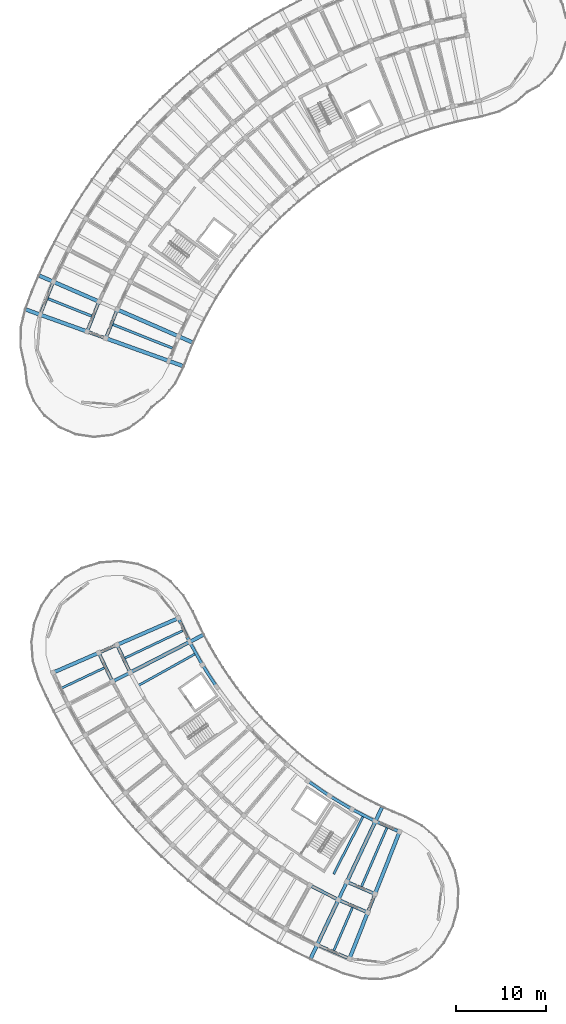
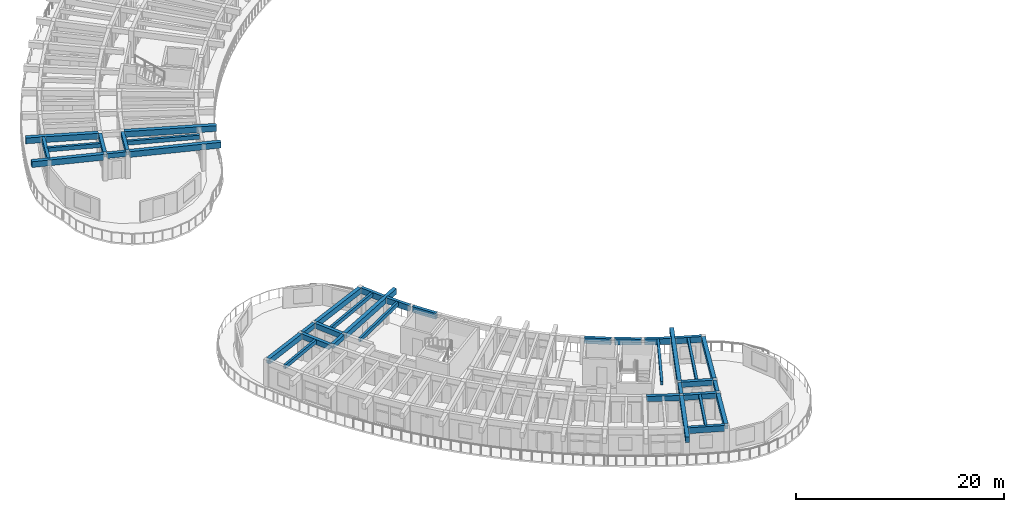
# One storey, part 10 of 62: 40 beams.
"""IFC4 building model written with IfcOpenShell, lengths in metres."""

from ifc_helpers import new_model, si_unit, direction, frame, origin, origin_2d, place, context, subcontext, project, spatial, rectangle, extrude, material, material_profile, profile_set, type_object, element, save


model = new_model("IFC4")

# Units and contexts
model_context = context("Model", 3, precision=1e-05, world=origin(), true_north=direction((0.0, 1.0)))
body_context = subcontext(model_context, "Body", "Model", "MODEL_VIEW")
ifc_project = project(units=[si_unit("LENGTHUNIT", "METRE"), si_unit("AREAUNIT", "SQUARE_METRE"), si_unit("VOLUMEUNIT", "CUBIC_METRE"), si_unit("PLANEANGLEUNIT", "RADIAN"), si_unit("MASSUNIT", "GRAM", prefix="KILO")], contexts=[model_context])

# Site, building, storey
site_placement = place(None, origin())
site = spatial("IfcSite", under=ifc_project, at=site_placement, CompositionType="ELEMENT")
building_placement = place(site_placement, origin())
building = spatial("IfcBuilding", under=site, at=building_placement, Name="Tanwirah Colonnade Gardens", CompositionType="ELEMENT")
storey_placement = place(building_placement, frame((0.0, 0.0, 32.360107421875)))
storey = spatial("IfcBuildingStorey", under=building, at=storey_placement, Name="L09", CompositionType="ELEMENT", Elevation=32.360107421875)

# Beams
ifc_material_1 = material(Name="Precast concrete C40/50", Category="concrete")
ifc_material_profile_1 = material_profile(ifc_material_1, rectangle(XDim=0.360107421875, YDim=0.610107421875, at=origin_2d()), Name="PC-BM 360x610")
ifc_profile_set_1 = profile_set([ifc_material_profile_1], Name="Precast concrete C40/50")
beam_type_1 = type_object("IfcBeamType", Name="BM-PC300", PredefinedType="BEAM", material=ifc_profile_set_1)
beam_1_placement = place(storey_placement, frame((17.5146484375, 43.689453125, 2.809814453125), z_axis=(0.428520598641, -0.903532011907, 0.0), x_axis=(0.903532011907, 0.428520598641, 0.0)))
element("IfcBeam", 1, at=beam_1_placement, inside=storey, type_object=beam_type_1, Name="Block C L09 Circumferential Beam 2-R1", PredefinedType="BEAM", context=body_context, shape_type="SweptSolid", body=[
    extrude(rectangle(XDim=0.360107421875, YDim=0.610107421875, at=origin_2d()), origin(), (0.0, 0.0, 1.0), 3.093017578125),
])
beam_2_placement = place(storey_placement, frame((15.4970703125, 42.81201171875, 2.809814453125), z_axis=(0.428562893949, -0.903511951183, 0.0), x_axis=(0.903511951183, 0.428562893949, 0.0)))
element("IfcBeam", 2, at=beam_2_placement, inside=storey, type_object=beam_type_1, Name="Block C L09 Circumferential Beam 2-R2", PredefinedType="BEAM", context=body_context, shape_type="SweptSolid", body=[
    extrude(rectangle(XDim=0.360107421875, YDim=0.610107421875, at=origin_2d()), origin(), (0.0, 0.0, 1.0), 3.23681640625),
])
beam_3_placement = place(storey_placement, frame((38.929443359375, 17.158447265625, 2.809814453125), z_axis=(0.890025451153, -0.45591084249, 0.0), x_axis=(0.45591084249, 0.890025451153, 0.0)))
element("IfcBeam", 3, at=beam_3_placement, inside=storey, type_object=beam_type_1, Name="Block C L09 Circumferential Beam 12-R2", PredefinedType="BEAM", context=body_context, shape_type="SweptSolid", body=[
    extrude(rectangle(XDim=0.360107421875, YDim=0.610107421875, at=origin_2d()), origin(), (0.0, 0.0, 1.0), 3.237060546875),
])
beam_4_placement = place(storey_placement, frame((43.02001953125, 17.54443359375, 2.809814453125), z_axis=(0.917936292782, -0.396727819032, 0.0), x_axis=(0.396727819032, 0.917936292782, 0.0)))
element("IfcBeam", 4, at=beam_4_placement, inside=storey, type_object=beam_type_1, Name="Block C L09 Circumferential Beam 13-R1", PredefinedType="BEAM", context=body_context, shape_type="SweptSolid", body=[
    extrude(rectangle(XDim=0.360107421875, YDim=0.610107421875, at=origin_2d()), origin(), (0.0, 0.0, 1.0), 3.093017578125),
])
beam_5_placement = place(storey_placement, frame((42.08154296875, 15.5546875, 2.809814453125), z_axis=(0.917943156181, -0.396711938338, 0.0), x_axis=(0.396711938338, 0.917943156181, 0.0)))
element("IfcBeam", 5, at=beam_5_placement, inside=storey, type_object=beam_type_1, Name="Block C L09 Circumferential Beam 13-R2", PredefinedType="BEAM", context=body_context, shape_type="SweptSolid", body=[
    extrude(rectangle(XDim=0.360107421875, YDim=0.610107421875, at=origin_2d()), origin(), (0.0, 0.0, 1.0), 3.237060546875),
])
ifc_material_profile_2 = material_profile(ifc_material_1, rectangle(XDim=0.35009765625, YDim=0.550048828125, at=origin_2d()), Name="PC-BM 350x550")
ifc_profile_set_2 = profile_set([ifc_material_profile_2], Name="Precast concrete C40/50")
beam_type_2 = type_object("IfcBeamType", Name="BM-PC350A", PredefinedType="BEAM", material=ifc_profile_set_2)
beam_6_placement = place(storey_placement, frame((16.0673828125, 77.79541015625, 2.83984375), z_axis=(-0.941021664552, 0.338346311999, 0.0), x_axis=(-0.338346311999, -0.941021664552, 0.0)))
element("IfcBeam", 6, at=beam_6_placement, inside=storey, type_object=beam_type_2, Name="Block A L09 Corridor Tie Beam 17", PredefinedType="BEAM", context=body_context, shape_type="SweptSolid", body=[
    extrude(rectangle(XDim=0.35009765625, YDim=0.550048828125, at=origin_2d()), origin(), (0.0, 0.0, 1.0), 1.89990234375),
])
beam_7_placement = place(storey_placement, frame((17.31298828125, 43.76513671875, 2.83984375), z_axis=(-0.917025109963, -0.398829471952, 0.0), x_axis=(0.398829471952, -0.917025109963, 0.0)))
element("IfcBeam", 7, at=beam_7_placement, inside=storey, type_object=beam_type_2, Name="Block C L09 Corridor Tie Beam 2", PredefinedType="BEAM", context=body_context, shape_type="SweptSolid", body=[
    extrude(rectangle(XDim=0.35009765625, YDim=0.550048828125, at=origin_2d()), origin(), (0.0, 0.0, 1.0), 1.900146484375),
])
for number, where, z_axis, x_axis, name in (
    (8, (18.77099609375, 40.690673828125, 2.83984375), (-0.888965044602, -0.457975053334, 0.0), (0.457975053334, -0.888965044602, 0.0), "Block C L09 Corridor Tie Beam 3"),
    (9, (42.818359375, 17.46826171875, 2.83984375), (-0.426483812015, -0.904495195172, 0.0), (0.904495195172, -0.426483812015, 0.0), "Block C L09 Corridor Tie Beam 13"),
):
    element("IfcBeam", number, at=place(storey_placement, frame(where, z_axis=z_axis, x_axis=x_axis)), inside=storey, type_object=beam_type_2, Name=name, PredefinedType="BEAM", context=body_context, shape_type="SweptSolid", body=[
        extrude(rectangle(XDim=0.35009765625, YDim=0.550048828125, at=origin_2d()), origin(), (0.0, 0.0, 1.0), 1.89990234375),
    ])
beam_8_placement = place(storey_placement, frame((45.94189453125, 16.1181640625, 2.83984375), z_axis=(-0.366511033969, -0.930413704746, 0.0), x_axis=(0.930413704746, -0.366511033969, 0.0)))
element("IfcBeam", 10, at=beam_8_placement, inside=storey, type_object=beam_type_2, Name="Block C L09 Corridor Tie Beam 14", PredefinedType="BEAM", context=body_context, shape_type="SweptSolid", body=[
    extrude(rectangle(XDim=0.35009765625, YDim=0.550048828125, at=origin_2d()), origin(), (0.0, 0.0, 1.0), 1.899658203125),
])
ifc_material_profile_3 = material_profile(ifc_material_1, rectangle(XDim=0.35009765625, YDim=0.60009765625, at=origin_2d()), Name="PC-BM 350x600")
ifc_profile_set_3 = profile_set([ifc_material_profile_3], Name="Precast concrete C40/50")
beam_type_3 = type_object("IfcBeamType", Name="BM-PC350B", PredefinedType="BEAM", material=ifc_profile_set_3)
beam_9_placement = place(storey_placement, frame((17.4150390625, 80.78173828125, 2.81494140625), z_axis=(-0.369189105832, -0.929354294193, 0.0), x_axis=(0.929354294193, -0.369189105832, 0.0)))
element("IfcBeam", 11, at=beam_9_placement, inside=storey, type_object=beam_type_3, Name="Block A L09 Circumferential Beam 16-R1", PredefinedType="BEAM", context=body_context, shape_type="SweptSolid", body=[
    extrude(rectangle(XDim=0.35009765625, YDim=0.60009765625, at=origin_2d()), origin(), (0.0, 0.0, 1.0), 3.117919921875),
])
beam_10_placement = place(storey_placement, frame((15.3984375, 81.6611328125, 2.81494140625), z_axis=(-0.369209712056, -0.929346108037, 0.0), x_axis=(0.929346108037, -0.369209712056, 0.0)))
element("IfcBeam", 12, at=beam_10_placement, inside=storey, type_object=beam_type_3, Name="Block A L09 Circumferential Beam 16-R2", PredefinedType="BEAM", context=body_context, shape_type="SweptSolid", body=[
    extrude(rectangle(XDim=0.35009765625, YDim=0.60009765625, at=origin_2d()), origin(), (0.0, 0.0, 1.0), 3.26318359375),
])
ifc_material_2 = material(Name="Precast concrete C45/55", Category="concrete")
ifc_material_profile_4 = material_profile(ifc_material_2, rectangle(XDim=0.39990234375, YDim=0.64990234375, at=origin_2d()), Name="PC-BM 400x650")
ifc_profile_set_4 = profile_set([ifc_material_profile_4], Name="Precast concrete C45/55")
beam_type_4 = type_object("IfcBeamType", Name="BM-PC400", PredefinedType="BEAM", material=ifc_profile_set_4)
beam_11_placement = place(storey_placement, frame((17.587890625, 43.884765625, 2.789794921875), z_axis=(0.917065682823, 0.398736170154, 0.0), x_axis=(-0.398736170154, 0.917065682823, 0.0)))
element("IfcBeam", 13, at=beam_11_placement, inside=storey, type_object=beam_type_4, Name="Block C L09 Inner Radial Precast Girder 2", PredefinedType="BEAM", context=body_context, shape_type="SweptSolid", body=[
    extrude(rectangle(XDim=0.39990234375, YDim=0.64990234375, at=origin_2d()), origin(), (0.0, 0.0, 1.0), 7.10009765625),
])
beam_12_placement = place(storey_placement, frame((15.29541015625, 42.8876953125, 2.789794921875), z_axis=(-0.917063338398, -0.398741562126, 0.0), x_axis=(0.398741562126, -0.917063338398, 0.0)))
element("IfcBeam", 14, at=beam_12_placement, inside=storey, type_object=beam_type_4, Name="Block C L09 Outer Radial Precast Girder 2", PredefinedType="BEAM", context=body_context, shape_type="SweptSolid", body=[
    extrude(rectangle(XDim=0.39990234375, YDim=0.64990234375, at=origin_2d()), origin(), (0.0, 0.0, 1.0), 5.2001953125),
])
for number, where, z_axis, x_axis, name in (
    (15, (19.037841796875, 40.827880859375, 2.789794921875), (0.889022337846, 0.457863825619, 0.0), (-0.457863825619, 0.889022337846, 0.0), "Block C L09 Inner Radial Precast Girder 3"),
    (16, (42.9462890625, 17.73974609375, 2.789794921875), (0.426582468098, 0.904448670689, 0.0), (-0.904448670689, 0.426582468098, 0.0), "Block C L09 Inner Radial Precast Girder 13"),
):
    element("IfcBeam", number, at=place(storey_placement, frame(where, z_axis=z_axis, x_axis=x_axis)), inside=storey, type_object=beam_type_4, Name=name, PredefinedType="BEAM", context=body_context, shape_type="SweptSolid", body=[
        extrude(rectangle(XDim=0.39990234375, YDim=0.64990234375, at=origin_2d()), origin(), (0.0, 0.0, 1.0), 8.949951171875),
    ])
beam_13_placement = place(storey_placement, frame((41.8798828125, 15.478515625, 2.789794921875), z_axis=(-0.426567365945, -0.904455793453, 0.0), x_axis=(0.904455793453, -0.426567365945, 0.0)))
element("IfcBeam", 17, at=beam_13_placement, inside=storey, type_object=beam_type_4, Name="Block C L09 Outer Radial Precast Girder 13", PredefinedType="BEAM", context=body_context, shape_type="SweptSolid", body=[
    extrude(rectangle(XDim=0.39990234375, YDim=0.64990234375, at=origin_2d()), origin(), (0.0, 0.0, 1.0), 7.050048828125),
])
beam_14_placement = place(storey_placement, frame((46.052001953125, 16.3974609375, 2.789794921875), z_axis=(0.366488437166, 0.930422605821, 0.0), x_axis=(-0.930422605821, 0.366488437166, 0.0)))
element("IfcBeam", 18, at=beam_14_placement, inside=storey, type_object=beam_type_4, Name="Block C L09 Inner Radial Precast Girder 14", PredefinedType="BEAM", context=body_context, shape_type="SweptSolid", body=[
    extrude(rectangle(XDim=0.39990234375, YDim=0.64990234375, at=origin_2d()), origin(), (0.0, 0.0, 1.0), 7.099853515625),
])
beam_15_placement = place(storey_placement, frame((45.1357421875, 14.0712890625, 2.789794921875), z_axis=(-0.366536834267, -0.930403541011, 0.0), x_axis=(0.930403541011, -0.366536834267, 0.0)))
element("IfcBeam", 19, at=beam_15_placement, inside=storey, type_object=beam_type_4, Name="Block C L09 Outer Radial Precast Girder 14", PredefinedType="BEAM", context=body_context, shape_type="SweptSolid", body=[
    extrude(rectangle(XDim=0.39990234375, YDim=0.64990234375, at=origin_2d()), origin(), (0.0, 0.0, 1.0), 5.199951171875),
])
ifc_material_profile_5 = material_profile(ifc_material_2, rectangle(XDim=0.419921875, YDim=0.679931640625, at=origin_2d()), Name="PC-BM 420x680")
ifc_profile_set_5 = profile_set([ifc_material_profile_5], Name="Precast concrete C45/55")
beam_type_5 = type_object("IfcBeamType", Name="BM-PC420", PredefinedType="BEAM", material=ifc_profile_set_5)
beam_16_placement = place(storey_placement, frame((17.60791015625, 80.861328125, 2.77490234375), z_axis=(0.916669317869, -0.399646545934, 0.0), x_axis=(0.399646545934, 0.916669317869, 0.0)))
element("IfcBeam", 20, at=beam_16_placement, inside=storey, type_object=beam_type_5, Name="Block A L09 Inner Radial Precast Girder 16", PredefinedType="BEAM", context=body_context, shape_type="SweptSolid", body=[
    extrude(rectangle(XDim=0.419921875, YDim=0.679931640625, at=origin_2d()), origin(), (0.0, 0.0, 1.0), 8.9501953125),
])
beam_17_placement = place(storey_placement, frame((15.31640625, 81.8603515625, 2.77490234375), z_axis=(-0.916678725612, 0.399624966702, 0.0), x_axis=(-0.399624966702, -0.916678725612, 0.0)))
element("IfcBeam", 21, at=beam_17_placement, inside=storey, type_object=beam_type_5, Name="Block A L09 Outer Radial Precast Girder 16", PredefinedType="BEAM", context=body_context, shape_type="SweptSolid", body=[
    extrude(rectangle(XDim=0.419921875, YDim=0.679931640625, at=origin_2d()), origin(), (0.0, 0.0, 1.0), 7.050048828125),
])
beam_18_placement = place(storey_placement, frame((16.349609375, 77.69384765625, 2.77490234375), z_axis=(0.941017049702, -0.338359146723, 0.0), x_axis=(0.338359146723, 0.941017049702, 0.0)))
element("IfcBeam", 22, at=beam_18_placement, inside=storey, type_object=beam_type_5, Name="Block A L09 Inner Radial Precast Girder 17", PredefinedType="BEAM", context=body_context, shape_type="SweptSolid", body=[
    extrude(rectangle(XDim=0.419921875, YDim=0.679931640625, at=origin_2d()), origin(), (0.0, 0.0, 1.0), 8.949951171875),
])
beam_19_placement = place(storey_placement, frame((13.9970703125, 78.539794921875, 2.77490234375), z_axis=(-0.941011841171, 0.338373631917, 0.0), x_axis=(-0.338373631917, -0.941011841171, 0.0)))
element("IfcBeam", 23, at=beam_19_placement, inside=storey, type_object=beam_type_5, Name="Block A L09 Outer Radial Precast Girder 17", PredefinedType="BEAM", context=body_context, shape_type="SweptSolid", body=[
    extrude(rectangle(XDim=0.419921875, YDim=0.679931640625, at=origin_2d()), origin(), (0.0, 0.0, 1.0), 7.0498046875),
])
ifc_material_profile_6 = material_profile(ifc_material_1, rectangle(XDim=0.25, YDim=0.449951171875, at=origin_2d()), Name="PC-JST 250x450")
ifc_profile_set_6 = profile_set([ifc_material_profile_6], Name="Precast concrete C40/50")
beam_type_6 = type_object("IfcBeamType", Name="JST-PC250", PredefinedType="JOIST", material=ifc_profile_set_6)
beam_20_placement = place(storey_placement, frame((16.05615234375, 41.285888671875, 2.889892578125), z_axis=(-0.903517509842, -0.428551174785, 0.0), x_axis=(0.428551174785, -0.903517509842, 0.0)))
element("IfcBeam", 24, at=beam_20_placement, inside=storey, type_object=beam_type_6, Name="Block C L09 Precast Floor Joist 2", PredefinedType="JOIST", context=body_context, shape_type="SweptSolid", body=[
    extrude(rectangle(XDim=0.25, YDim=0.449951171875, at=origin_2d()), origin(), (0.0, 0.0, 1.0), 5.260009765625),
])
for number, where, z_axis, x_axis, name in (
    (25, (24.72998046875, 45.39990234375, 2.889892578125), (-0.903522492189, -0.428540670308, 0.0), (0.428540670308, -0.903522492189, 0.0), "Block C L09 Inner Precast Floor Joist 2"),
    (26, (26.0654296875, 42.80712890625, 2.889892578125), (-0.873559899034, -0.486716655561, 0.0), (0.486716655561, -0.873559899034, 0.0), "Block C L09 Inner Precast Floor Joist 3"),
    (27, (44.678955078125, 24.83203125, 2.889892578125), (-0.455921327553, -0.890020080157, 0.0), (0.890020080157, -0.455921327553, 0.0), "Block C L09 Inner Precast Floor Joist 12"),
):
    element("IfcBeam", number, at=place(storey_placement, frame(where, z_axis=z_axis, x_axis=x_axis)), inside=storey, type_object=beam_type_6, Name=name, PredefinedType="JOIST", context=body_context, shape_type="SweptSolid", body=[
        extrude(rectangle(XDim=0.25, YDim=0.449951171875, at=origin_2d()), origin(), (0.0, 0.0, 1.0), 7.159912109375),
    ])
beam_21_placement = place(storey_placement, frame((43.50830078125, 14.77587890625, 2.889892578125), z_axis=(-0.396746282, -0.917928312952, 0.0), x_axis=(0.917928312952, -0.396746282, 0.0)))
element("IfcBeam", 28, at=beam_21_placement, inside=storey, type_object=beam_type_6, Name="Block C L09 Precast Floor Joist 13", PredefinedType="JOIST", context=body_context, shape_type="SweptSolid", body=[
    extrude(rectangle(XDim=0.25, YDim=0.449951171875, at=origin_2d()), origin(), (0.0, 0.0, 1.0), 5.260009765625),
])
beam_22_placement = place(storey_placement, frame((47.31689453125, 23.587890625, 2.889892578125), z_axis=(-0.396736454079, -0.917932560706, 0.0), x_axis=(0.917932560706, -0.396736454079, 0.0)))
element("IfcBeam", 29, at=beam_22_placement, inside=storey, type_object=beam_type_6, Name="Block C L09 Inner Precast Floor Joist 13", PredefinedType="JOIST", context=body_context, shape_type="SweptSolid", body=[
    extrude(rectangle(XDim=0.25, YDim=0.449951171875, at=origin_2d()), origin(), (0.0, 0.0, 1.0), 7.159912109375),
])
ifc_material_profile_7 = material_profile(ifc_material_1, rectangle(XDim=0.280029296875, YDim=0.47998046875, at=origin_2d()), Name="PC-JST 280x480")
ifc_profile_set_7 = profile_set([ifc_material_profile_7], Name="Precast concrete C40/50")
beam_type_7 = type_object("IfcBeamType", Name="JST-PC280", PredefinedType="JOIST", material=ifc_profile_set_7)
beam_23_placement = place(storey_placement, frame((14.6572265625, 80.199951171875, 2.875), z_axis=(-0.929357539836, 0.369180935517, 0.0), x_axis=(-0.369180935517, -0.929357539836, 0.0)))
element("IfcBeam", 30, at=beam_23_placement, inside=storey, type_object=beam_type_7, Name="Block A L09 Precast Floor Joist 16", PredefinedType="JOIST", context=body_context, shape_type="SweptSolid", body=[
    extrude(rectangle(XDim=0.280029296875, YDim=0.47998046875, at=origin_2d()), origin(), (0.0, 0.0, 1.0), 5.260009765625),
])
beam_24_placement = place(storey_placement, frame((23.578857421875, 76.655517578125, 2.875), z_axis=(-0.929344232768, 0.369214432303, 0.0), x_axis=(-0.369214432303, -0.929344232768, 0.0)))
element("IfcBeam", 31, at=beam_24_placement, inside=storey, type_object=beam_type_7, Name="Block A L09 Inner Precast Floor Joist 16", PredefinedType="JOIST", context=body_context, shape_type="SweptSolid", body=[
    extrude(rectangle(XDim=0.280029296875, YDim=0.47998046875, at=origin_2d()), origin(), (0.0, 0.0, 1.0), 7.159912109375),
])
ifc_material_profile_8 = material_profile(ifc_material_1, rectangle(XDim=0.330078125, YDim=0.68994140625, at=origin_2d()), Name="PC-SP 330x690")
ifc_profile_set_8 = profile_set([ifc_material_profile_8], Name="Precast concrete C40/50")
beam_type_8 = type_object("IfcBeamType", Name="SP-PC280", PredefinedType="SPANDREL", material=ifc_profile_set_8)
beam_25_placement = place(storey_placement, frame((24.301025390625, 46.64013671875, 2.769775390625), z_axis=(0.428512709915, -0.903535753272, 0.0), x_axis=(0.903535753272, 0.428512709915, 0.0)))
element("IfcBeam", 32, at=beam_25_placement, inside=storey, type_object=beam_type_8, Name="Block C L09 Circumferential Beam 2-R0", PredefinedType="SPANDREL", context=body_context, shape_type="SweptSolid", body=[
    extrude(rectangle(XDim=0.330078125, YDim=0.68994140625, at=origin_2d()), origin(), (0.0, 0.0, 1.0), 2.60888671875),
])
beam_26_placement = place(storey_placement, frame((25.55615234375, 44.016357421875, 2.769775390625), z_axis=(0.486747049114, -0.873542964129, 0.0), x_axis=(0.873542964129, 0.486747049114, 0.0)))
element("IfcBeam", 33, at=beam_26_placement, inside=storey, type_object=beam_type_8, Name="Block C L09 Circumferential Beam 3-R0", PredefinedType="SPANDREL", context=body_context, shape_type="SweptSolid", body=[
    extrude(rectangle(XDim=0.330078125, YDim=0.68994140625, at=origin_2d()), origin(), (0.0, 0.0, 1.0), 2.608642578125),
])
for number, where, z_axis, x_axis, name in (
    (34, (26.980224609375, 41.48046875, 2.769775390625), (0.542874837406, -0.83981361677, 0.0), (0.83981361677, 0.542874837406, 0.0), "Block C L09 Circumferential Beam 4-R0"),
    (35, (38.68359375, 28.683349609375, 2.769775390625), (0.822868771031, -0.568231454305, 0.0), (0.568231454305, 0.822868771031, 0.0), "Block C L09 Circumferential Beam 10-R0"),
):
    element("IfcBeam", number, at=place(storey_placement, frame(where, z_axis=z_axis, x_axis=x_axis)), inside=storey, type_object=beam_type_8, Name=name, PredefinedType="SPANDREL", context=body_context, shape_type="SweptSolid", body=[
        extrude(rectangle(XDim=0.330078125, YDim=0.68994140625, at=origin_2d()), origin(), (0.0, 0.0, 1.0), 2.60888671875),
    ])
for number, where, z_axis, x_axis, name in (
    (36, (41.08251953125, 27.038818359375, 2.769775390625), (0.858301131151, -0.513146341958, 0.0), (0.513146341958, 0.858301131151, 0.0), "Block C L09 Circumferential Beam 11-R0"),
    (37, (43.583740234375, 25.5546875, 2.769775390625), (0.890042438658, -0.455877678097, 0.0), (0.455877678097, 0.890042438658, 0.0), "Block C L09 Circumferential Beam 12-R0"),
    (38, (46.1767578125, 24.237548828125, 2.769775390625), (0.917901260915, -0.396808864833, 0.0), (0.396808864833, 0.917901260915, 0.0), "Block C L09 Circumferential Beam 13-R0"),
):
    element("IfcBeam", number, at=place(storey_placement, frame(where, z_axis=z_axis, x_axis=x_axis)), inside=storey, type_object=beam_type_8, Name=name, PredefinedType="SPANDREL", context=body_context, shape_type="SweptSolid", body=[
        extrude(rectangle(XDim=0.330078125, YDim=0.68994140625, at=origin_2d()), origin(), (0.0, 0.0, 1.0), 2.608642578125),
    ])
beam_27_placement = place(storey_placement, frame((39.735595703125, 10.580078125, 2.769775390625), z_axis=(0.917925861765, -0.396751953118, 0.0), x_axis=(0.396751953118, 0.917925861765, 0.0)))
element("IfcBeam", 39, at=beam_27_placement, inside=storey, type_object=beam_type_8, Name="Block C L09 Circumferential Beam 13-R3", PredefinedType="SPANDREL", context=body_context, shape_type="SweptSolid", body=[
    extrude(rectangle(XDim=0.330078125, YDim=0.68994140625, at=origin_2d()), origin(), (0.0, 0.0, 1.0), 3.5966796875),
])
ifc_material_profile_9 = material_profile(ifc_material_2, rectangle(XDim=0.320068359375, YDim=0.679931640625, at=origin_2d()), Name="PC-SP 320x680")
ifc_profile_set_9 = profile_set([ifc_material_profile_9], Name="Precast concrete C45/55")
beam_type_9 = type_object("IfcBeamType", Name="SP-PC320", PredefinedType="SPANDREL", material=ifc_profile_set_9)
beam_28_placement = place(storey_placement, frame((10.356689453125, 83.859130859375, 2.77490234375), z_axis=(-0.369195460985, -0.929351769562, 0.0), x_axis=(0.929351769562, -0.369195460985, 0.0)))
element("IfcBeam", 40, at=beam_28_placement, inside=storey, type_object=beam_type_9, Name="Block A L09 Circumferential Beam 16-R3", PredefinedType="SPANDREL", context=body_context, shape_type="SweptSolid", body=[
    extrude(rectangle(XDim=0.320068359375, YDim=0.679931640625, at=origin_2d()), origin(), (0.0, 0.0, 1.0), 3.625732421875),
])

save(model, "model.ifc")
